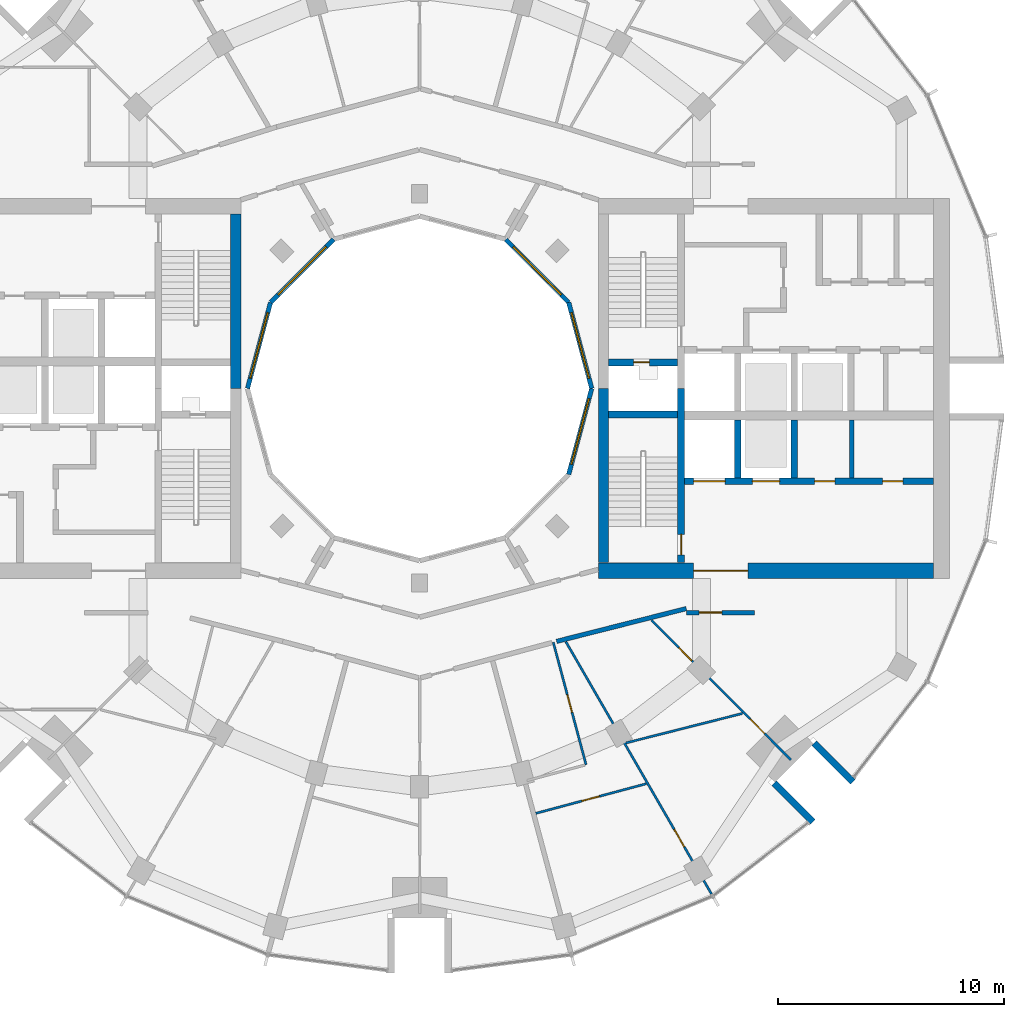
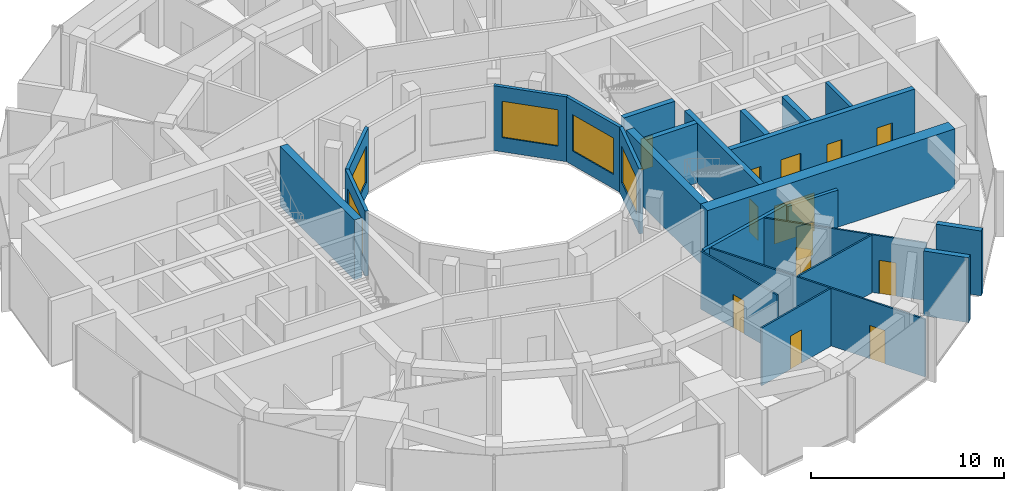
# One storey, part 10 of 15: 24 walls, 13 doors, 5 windows, 18 openings.
"""IFC4 building model written with IfcOpenShell, lengths in metres."""

from ifc_helpers import new_model, si_unit, direction, frame, frame_2d, origin, place, context, subcontext, project, spatial, rectangle, extrude, material, layer, layer_set, type_object, element, fill, save


model = new_model("IFC4")

# Units and contexts
model_context = context("Model", 3, precision=1e-05, world=origin(), true_north=direction((0.0, 1.0)))
body_context = subcontext(model_context, "Body", "Model", "MODEL_VIEW")
ifc_project = project(units=[si_unit("LENGTHUNIT", "METRE"), si_unit("AREAUNIT", "SQUARE_METRE"), si_unit("VOLUMEUNIT", "CUBIC_METRE"), si_unit("PLANEANGLEUNIT", "RADIAN"), si_unit("MASSUNIT", "GRAM", prefix="KILO")], contexts=[model_context])

# Site, building, storey
site_placement = place(None, origin())
site = spatial("IfcSite", under=ifc_project, at=site_placement, CompositionType="ELEMENT")
building_placement = place(site_placement, origin())
building = spatial("IfcBuilding", under=site, at=building_placement, Name="Torre Brocal", CompositionType="ELEMENT")
storey_placement = place(building_placement, frame((0.0, 0.0, 178.199951171875)))
storey = spatial("IfcBuildingStorey", under=building, at=storey_placement, Name="L41", CompositionType="ELEMENT", Elevation=178.199951171875)

# Wall
ifc_material_1 = material(Name="Masonry block", Category="masonry")
ifc_layer_1 = layer(ifc_material_1, 0.199951171875)
ifc_layer_set_1 = layer_set([ifc_layer_1], Name="Masonry block")
wall_type_1 = type_object("IfcWallType", Name="CORE PARTITION 200", PredefinedType="PARTITIONING", material=ifc_layer_set_1)
wall_1_placement = place(storey_placement, frame((99.10009765625, 71.050048828125, 0.0), z_axis=(0.0, 0.0, 1.0), x_axis=(0.0, 1.0, 0.0)))
element("IfcWall", 1, at=wall_1_placement, inside=storey, type_object=wall_type_1, Name="Wall CP200", PredefinedType="PARTITIONING", context=body_context, shape_type="SweptSolid", body=[
    extrude(rectangle(XDim=2.550048828125, YDim=0.199951171875, at=frame_2d((1.27490234375, 0.0))), origin(), (0.0, 0.0, 1.0), 3.780029296875),
])

# Wall, opening, door
ifc_material_2 = material(Name="Concrete C70", Category="concrete")
ifc_layer_2 = layer(ifc_material_2, 0.300048828125)
ifc_layer_set_2 = layer_set([ifc_layer_2], Name="Concrete C70")
wall_type_2 = type_object("IfcWallType", Name="CORE WALL 300 C70", PredefinedType="SHEAR", material=ifc_layer_set_2)
wall_2_placement = place(storey_placement, frame((91.550048828125, 67.300048828125, 0.0), z_axis=(0.0, 0.0, 1.0), x_axis=(0.0, 1.0, 0.0)))
wall_2 = element("IfcWall", 2, at=wall_2_placement, inside=storey, type_object=wall_type_2, Name="Wall CW300-70", PredefinedType="SHEAR", context=body_context, shape_type="SweptSolid", body=[
    extrude(rectangle(XDim=7.699951171875, YDim=0.300048828125, at=frame_2d((3.85009765625, 0.0))), origin(), (0.0, 0.0, 1.0), 3.780029296875),
])
opening_1_placement = place(wall_2_placement, frame((0.35009765625, 0.0, 0.0)))
opening_1 = element("IfcOpeningElement", 3, at=opening_1_placement, cuts=wall_2, Name="Opening E-D03", PredefinedType="OPENING", context=body_context, shape_type="SweptSolid", body=[
    extrude(rectangle(XDim=0.89990234375, YDim=2.10009765625, at=frame_2d((0.449951171875, 1.050048828125))), frame((0.0, 0.159912109375, 0.0), z_axis=(0.0, -1.0, 0.0), x_axis=(1.0, 0.0, 0.0)), (0.0, 0.0, 1.0), 0.320068359375),
])
ifc_material_3 = material(Name="Steel A653", Category="steel")
door_type_1 = type_object("IfcDoorType", Name="STAIR DOOR FD120 900X2100", OperationType="SINGLE_SWING_RIGHT", PredefinedType="DOOR", material=ifc_material_3)
door_1_placement = place(opening_1_placement, origin())
door_1 = element("IfcDoor", 4, at=door_1_placement, inside=storey, type_object=door_type_1, Name="Door E-D03", OperationType="SINGLE_SWING_LEFT", OverallHeight=2.10009765625, OverallWidth=0.89990234375, PredefinedType="DOOR", context=body_context, shape_type="SweptSolid", body=[
    extrude(rectangle(XDim=0.89990234375, YDim=2.10009765625, at=frame_2d((0.449951171875, 1.050048828125))), frame((0.0, 0.02490234375, 0.0), z_axis=(0.0, -1.0, 0.0), x_axis=(1.0, 0.0, 0.0)), (0.0, 0.0, 1.0), 0.050048828125),
])
fill(opening_1, door_1)

wall_3_placement = place(storey_placement, frame((88.35009765625, 76.14990234375, 0.0), z_axis=(0.0, 0.0, 1.0), x_axis=(1.0, 0.0, 0.0)))
wall_3 = element("IfcWall", 5, at=wall_3_placement, inside=storey, type_object=wall_type_2, Name="Wall CW300-70", PredefinedType="SHEAR", context=body_context, shape_type="SweptSolid", body=[
    extrude(rectangle(XDim=3.0498046875, YDim=0.300048828125, at=frame_2d((1.52490234375, 0.0))), origin(), (0.0, 0.0, 1.0), 3.780029296875),
])
opening_2_placement = place(wall_3_placement, frame((1.10009765625, 0.0, 0.0)))
opening_2 = element("IfcOpeningElement", 6, at=opening_2_placement, cuts=wall_3, Name="Opening E-D01", PredefinedType="OPENING", context=body_context, shape_type="SweptSolid", body=[
    extrude(rectangle(XDim=0.699951171875, YDim=2.0, at=frame_2d((0.35009765625, 1.0))), frame((0.0, 0.159912109375, 0.0), z_axis=(0.0, -1.0, 0.0), x_axis=(1.0, 0.0, 0.0)), (0.0, 0.0, 1.0), 0.320068359375),
])
ifc_material_4 = material(Name="Steel A653", Category="steel")
door_type_2 = type_object("IfcDoorType", Name="RISER DOOR FD120 700X2000", OperationType="SINGLE_SWING_LEFT", PredefinedType="DOOR", material=ifc_material_4)
door_2_placement = place(opening_2_placement, frame((0.699951171875, 0.0, 0.0), z_axis=(0.0, 0.0, 1.0), x_axis=(-1.0, 0.0, 0.0)))
door_2 = element("IfcDoor", 7, at=door_2_placement, inside=storey, type_object=door_type_2, Name="Door E-D01", OperationType="SINGLE_SWING_RIGHT", OverallHeight=2.0, OverallWidth=0.699951171875, PredefinedType="DOOR", context=body_context, shape_type="SweptSolid", body=[
    extrude(rectangle(XDim=0.699951171875, YDim=2.0, at=frame_2d((0.35009765625, 1.0))), frame((0.0, 0.02490234375, 0.0), z_axis=(0.0, -1.0, 0.0), x_axis=(1.0, 0.0, 0.0)), (0.0, 0.0, 1.0), 0.050048828125),
])
fill(opening_2, door_2)

# Wall
wall_4_placement = place(storey_placement, frame((88.35009765625, 73.85009765625, 0.0), z_axis=(0.0, 0.0, 1.0), x_axis=(1.0, 0.0, 0.0)))
element("IfcWall", 8, at=wall_4_placement, inside=storey, type_object=wall_type_2, Name="Wall CW300-70", PredefinedType="SHEAR", context=body_context, shape_type="SweptSolid", body=[
    extrude(rectangle(XDim=3.0498046875, YDim=0.300048828125, at=frame_2d((1.52490234375, 0.0))), origin(), (0.0, 0.0, 1.0), 3.780029296875),
])

# Wall, openings, doors
wall_5_placement = place(storey_placement, frame((91.699951171875, 70.89990234375, 0.0), z_axis=(0.0, 0.0, 1.0), x_axis=(1.0, 0.0, 0.0)))
wall_5 = element("IfcWall", 9, at=wall_5_placement, inside=storey, type_object=wall_type_2, Name="Wall CW300-70", PredefinedType="SHEAR", context=body_context, shape_type="SweptSolid", body=[
    extrude(rectangle(XDim=11.0, YDim=0.300048828125, at=frame_2d((5.5, 0.0))), origin(), (0.0, 0.0, 1.0), 3.780029296875),
])
opening_3_placement = place(wall_5_placement, frame((0.39990234375, 0.0, 0.0)))
opening_3 = element("IfcOpeningElement", 10, at=opening_3_placement, cuts=wall_5, Name="Opening LD14", PredefinedType="OPENING", context=body_context, shape_type="SweptSolid", body=[
    extrude(rectangle(XDim=1.39990234375, YDim=2.10009765625, at=frame_2d((0.699951171875, 1.050048828125))), frame((0.0, 0.159912109375, 0.0), z_axis=(0.0, -1.0, 0.0), x_axis=(1.0, 0.0, 0.0)), (0.0, 0.0, 1.0), 0.320068359375),
])
opening_4_placement = place(wall_5_placement, frame((3.0, 0.0, 0.0)))
opening_4 = element("IfcOpeningElement", 11, at=opening_4_placement, cuts=wall_5, Name="Opening LD12", PredefinedType="OPENING", context=body_context, shape_type="SweptSolid", body=[
    extrude(rectangle(XDim=1.199951171875, YDim=2.10009765625, at=frame_2d((0.60009765625, 1.050048828125))), frame((0.0, 0.159912109375, 0.0), z_axis=(0.0, -1.0, 0.0), x_axis=(1.0, 0.0, 0.0)), (0.0, 0.0, 1.0), 0.320068359375),
])
opening_5_placement = place(wall_5_placement, frame((5.75, 0.0, 0.0)))
opening_5 = element("IfcOpeningElement", 12, at=opening_5_placement, cuts=wall_5, Name="Opening E-D06", PredefinedType="OPENING", context=body_context, shape_type="SweptSolid", body=[
    extrude(rectangle(XDim=0.89990234375, YDim=2.10009765625, at=frame_2d((0.449951171875, 1.050048828125))), frame((0.0, 0.159912109375, 0.0), z_axis=(0.0, -1.0, 0.0), x_axis=(1.0, 0.0, 0.0)), (0.0, 0.0, 1.0), 0.320068359375),
])
opening_6_placement = place(wall_5_placement, frame((8.75, 0.0, 0.0)))
opening_6 = element("IfcOpeningElement", 13, at=opening_6_placement, cuts=wall_5, Name="Opening E-D07", PredefinedType="OPENING", context=body_context, shape_type="SweptSolid", body=[
    extrude(rectangle(XDim=0.89990234375, YDim=2.10009765625, at=frame_2d((0.449951171875, 1.050048828125))), frame((0.0, 0.159912109375, 0.0), z_axis=(0.0, -1.0, 0.0), x_axis=(1.0, 0.0, 0.0)), (0.0, 0.0, 1.0), 0.320068359375),
])
ifc_material_5 = material(Name="Stainless steel AISI 316", Category="steel")
door_type_3 = type_object("IfcDoorType", Name="LIFT LANDING DOOR 1200X2100", OperationType="DOUBLE_DOOR_SLIDING", PredefinedType="DOOR", material=ifc_material_5)
door_3_placement = place(opening_4_placement, origin())
door_3 = element("IfcDoor", 14, at=door_3_placement, inside=storey, type_object=door_type_3, Name="Door LD12", OperationType="DOUBLE_DOOR_SLIDING", OverallHeight=2.10009765625, OverallWidth=1.199951171875, PredefinedType="DOOR", context=body_context, shape_type="SweptSolid", body=[
    extrude(rectangle(XDim=1.199951171875, YDim=2.10009765625, at=frame_2d((0.60009765625, 1.050048828125))), frame((0.0, 0.02490234375, 0.0), z_axis=(0.0, -1.0, 0.0), x_axis=(1.0, 0.0, 0.0)), (0.0, 0.0, 1.0), 0.050048828125),
])
fill(opening_4, door_3)
ifc_material_6 = material(Name="Stainless steel AISI 316", Category="steel")
door_type_4 = type_object("IfcDoorType", Name="LIFT LANDING DOOR 1400X2100", OperationType="DOUBLE_DOOR_SLIDING", PredefinedType="DOOR", material=ifc_material_6)
door_4_placement = place(opening_3_placement, origin())
door_4 = element("IfcDoor", 15, at=door_4_placement, inside=storey, type_object=door_type_4, Name="Door LD14", OperationType="DOUBLE_DOOR_SLIDING", OverallHeight=2.10009765625, OverallWidth=1.39990234375, PredefinedType="DOOR", context=body_context, shape_type="SweptSolid", body=[
    extrude(rectangle(XDim=1.39990234375, YDim=2.10009765625, at=frame_2d((0.699951171875, 1.050048828125))), frame((0.0, 0.02490234375, 0.0), z_axis=(0.0, -1.0, 0.0), x_axis=(1.0, 0.0, 0.0)), (0.0, 0.0, 1.0), 0.050048828125),
])
fill(opening_3, door_4)
ifc_material_7 = material(Name="Steel A653", Category="steel")
door_type_5 = type_object("IfcDoorType", Name="ROOM DOOR FD30S 900X2100", OperationType="SINGLE_SWING_LEFT", PredefinedType="DOOR", material=ifc_material_7)
door_5_placement = place(opening_5_placement, origin())
door_5 = element("IfcDoor", 16, at=door_5_placement, inside=storey, type_object=door_type_5, Name="Door E-D06", OperationType="SINGLE_SWING_RIGHT", OverallHeight=2.10009765625, OverallWidth=0.89990234375, PredefinedType="DOOR", context=body_context, shape_type="SweptSolid", body=[
    extrude(rectangle(XDim=0.89990234375, YDim=2.10009765625, at=frame_2d((0.449951171875, 1.050048828125))), frame((0.0, 0.02490234375, 0.0), z_axis=(0.0, -1.0, 0.0), x_axis=(1.0, 0.0, 0.0)), (0.0, 0.0, 1.0), 0.050048828125),
])
fill(opening_5, door_5)
door_6_placement = place(opening_6_placement, origin())
door_6 = element("IfcDoor", 17, at=door_6_placement, inside=storey, type_object=door_type_5, Name="Door E-D07", OperationType="SINGLE_SWING_LEFT", OverallHeight=2.10009765625, OverallWidth=0.89990234375, PredefinedType="DOOR", context=body_context, shape_type="SweptSolid", body=[
    extrude(rectangle(XDim=0.89990234375, YDim=2.10009765625, at=frame_2d((0.449951171875, 1.050048828125))), frame((0.0, 0.02490234375, 0.0), z_axis=(0.0, -1.0, 0.0), x_axis=(1.0, 0.0, 0.0)), (0.0, 0.0, 1.0), 0.050048828125),
])
fill(opening_6, door_6)

# Walls
for number, where, z_axis, x_axis, name in (
    (18, (94.050048828125, 71.050048828125, 0.0), (0.0, 0.0, 1.0), (0.0, 1.0, 0.0), "Wall CW300-70"),
    (19, (96.550048828125, 71.050048828125, 0.0), (0.0, 0.0, 1.0), (0.0, 1.0, 0.0), "Wall CW300-70"),
):
    element("IfcWall", number, at=place(storey_placement, frame(where, z_axis=z_axis, x_axis=x_axis)), inside=storey, type_object=wall_type_2, Name=name, PredefinedType="SHEAR", context=body_context, shape_type="SweptSolid", body=[
        extrude(rectangle(XDim=2.550048828125, YDim=0.300048828125, at=frame_2d((1.27490234375, 0.0))), origin(), (0.0, 0.0, 1.0), 3.780029296875),
    ])
ifc_material_8 = material(Name="Concrete C70", Category="concrete")
ifc_layer_3 = layer(ifc_material_8, 0.449951171875)
ifc_layer_set_3 = layer_set([ifc_layer_3], Name="Concrete C70")
wall_type_3 = type_object("IfcWallType", Name="CORE WALL 450 C70", PredefinedType="SHEAR", material=ifc_layer_set_3)
for number, where, z_axis, x_axis, name in (
    (20, (88.125, 67.300048828125, 0.0), (0.0, 0.0, 1.0), (0.0, 1.0, 0.0), "Wall CW450-70"),
    (21, (71.875, 82.699951171875, 0.0), (0.0, 0.0, 1.0), (0.0, -1.0, 0.0), "Wall CW450-70"),
):
    element("IfcWall", number, at=place(storey_placement, frame(where, z_axis=z_axis, x_axis=x_axis)), inside=storey, type_object=wall_type_3, Name=name, PredefinedType="SHEAR", context=body_context, shape_type="SweptSolid", body=[
        extrude(rectangle(XDim=7.699951171875, YDim=0.449951171875, at=frame_2d((3.85009765625, 0.0))), origin(), (0.0, 0.0, 1.0), 3.780029296875),
    ])

# Wall, opening, door
ifc_material_9 = material(Name="Concrete C70", Category="concrete")
ifc_layer_4 = layer(ifc_material_9, 0.699951171875)
ifc_layer_set_4 = layer_set([ifc_layer_4], Name="Concrete C70")
wall_type_4 = type_object("IfcWallType", Name="CORE WALL 700 C70", PredefinedType="SHEAR", material=ifc_layer_set_4)
wall_6_placement = place(storey_placement, frame((87.89990234375, 66.949951171875, 0.0), z_axis=(0.0, 0.0, 1.0), x_axis=(1.0, 0.0, 0.0)))
wall_6 = element("IfcWall", 22, at=wall_6_placement, inside=storey, type_object=wall_type_4, Name="Wall CW700-70", PredefinedType="SHEAR", context=body_context, shape_type="SweptSolid", body=[
    extrude(rectangle(XDim=14.800048828125, YDim=0.699951171875, at=frame_2d((7.39990234375, 0.0))), origin(), (0.0, 0.0, 1.0), 3.780029296875),
])
opening_7_placement = place(wall_6_placement, frame((4.199951171875, 0.0, 0.0)))
opening_7 = element("IfcOpeningElement", 23, at=opening_7_placement, cuts=wall_6, Name="Opening E-D13", PredefinedType="OPENING", context=body_context, shape_type="SweptSolid", body=[
    extrude(rectangle(XDim=2.39990234375, YDim=2.39990234375, at=frame_2d((1.199951171875, 1.199951171875))), frame((0.0, 0.35986328125, 0.0), z_axis=(0.0, -1.0, 0.0), x_axis=(1.0, 0.0, 0.0)), (0.0, 0.0, 1.0), 0.719970703125),
])
ifc_material_10 = material(Name="Steel A653", Category="steel")
door_type_6 = type_object("IfcDoorType", Name="DOUBLE FIRE DOOR FD90 2400X2400", OperationType="DOUBLE_DOOR_SINGLE_SWING", PredefinedType="DOOR", material=ifc_material_10)
door_7_placement = place(opening_7_placement, origin())
door_7 = element("IfcDoor", 24, at=door_7_placement, inside=storey, type_object=door_type_6, Name="Door E-D13", OperationType="DOUBLE_DOOR_SINGLE_SWING", OverallHeight=2.39990234375, OverallWidth=2.39990234375, PredefinedType="DOOR", context=body_context, shape_type="SweptSolid", body=[
    extrude(rectangle(XDim=2.39990234375, YDim=2.39990234375, at=frame_2d((1.199951171875, 1.199951171875))), frame((0.0, 0.02490234375, 0.0), z_axis=(0.0, -1.0, 0.0), x_axis=(1.0, 0.0, 0.0)), (0.0, 0.0, 1.0), 0.050048828125),
])
fill(opening_7, door_7)

# Walls
ifc_material_11 = material(Name="Concrete C70", Category="concrete")
ifc_layer_5 = layer(ifc_material_11, 0.300048828125)
ifc_layer_set_5 = layer_set([ifc_layer_5], Name="Concrete C70")
wall_type_5 = type_object("IfcWallType", Name="NOTCH RETURN WALL 300 C70", PredefinedType="NOTDEFINED", material=ifc_layer_set_5)
for number, where, z_axis, x_axis, name in (
    (25, (95.662353515625, 57.56982421875, 0.0), (0.0, 0.0, 1.0), (0.707106781187, -0.707106781187, 0.0), "NOTCH RETURN WALL"),
    (26, (97.43017578125, 59.337646484375, 0.0), (0.0, 0.0, 1.0), (0.707106781187, -0.707106781187, 0.0), "NOTCH RETURN WALL"),
):
    element("IfcWall", number, at=place(storey_placement, frame(where, z_axis=z_axis, x_axis=x_axis)), inside=storey, type_object=wall_type_5, Name=name, PredefinedType="NOTDEFINED", context=body_context, shape_type="SweptSolid", body=[
        extrude(rectangle(XDim=2.415771484375, YDim=0.300048828125, at=frame_2d((1.2080078125, 0.0))), origin(), (0.0, 0.0, 1.0), 4.10009765625),
    ])

# Wall, opening, door
ifc_material_12 = material(Name="Gypsum board", Category="Gypsum")
ifc_layer_6 = layer(ifc_material_12, 0.10009765625)
ifc_layer_set_6 = layer_set([ifc_layer_6], Name="Gypsum board")
wall_type_6 = type_object("IfcWallType", Name="PARTITION 100", PredefinedType="PARTITIONING", material=ifc_layer_set_6)
wall_7_placement = place(storey_placement, frame((85.133544921875, 56.22900390625, 0.0), z_axis=(0.0, 0.0, 1.0), x_axis=(0.965894130068, 0.258937308051, 0.0)))
wall_7 = element("IfcWall", 27, at=wall_7_placement, inside=storey, type_object=wall_type_6, Name="BATHROOM WALL", PredefinedType="PARTITIONING", context=body_context, shape_type="SweptSolid", body=[
    extrude(rectangle(XDim=5.0537109375, YDim=0.10009765625, at=frame_2d((2.52685546875, 0.0))), origin(), (0.0, 0.0, 1.0), 3.650146484375),
])
opening_8_placement = place(wall_7_placement, frame((2.10693359375, 0.0, 0.0)))
opening_8 = element("IfcOpeningElement", 28, at=opening_8_placement, cuts=wall_7, Name="Opening R02-D24", PredefinedType="OPENING", context=body_context, shape_type="SweptSolid", body=[
    extrude(rectangle(XDim=0.800048828125, YDim=2.10009765625, at=frame_2d((0.39990234375, 1.050048828125))), frame((0.0, 0.06005859375, 0.0), z_axis=(0.0, -1.0, 0.0), x_axis=(1.0, 0.0, 0.0)), (0.0, 0.0, 1.0), 0.1201171875),
])
ifc_material_13 = material(Name="Timber", Category="wood")
door_type_7 = type_object("IfcDoorType", Name="BATHROOM DOOR 800X2100", OperationType="SINGLE_SWING_LEFT", PredefinedType="DOOR", material=ifc_material_13)
door_8_placement = place(opening_8_placement, frame((0.800048828125, 0.0, 0.0), z_axis=(0.0, 0.0, 1.0), x_axis=(-1.0, 0.0, 0.0)))
door_8 = element("IfcDoor", 29, at=door_8_placement, inside=storey, type_object=door_type_7, Name="R02-D24", OperationType="SINGLE_SWING_RIGHT", OverallHeight=2.10009765625, OverallWidth=0.800048828125, PredefinedType="DOOR", context=body_context, shape_type="SweptSolid", body=[
    extrude(rectangle(XDim=0.800048828125, YDim=2.10009765625, at=frame_2d((0.39990234375, 1.050048828125))), frame((0.0, 0.02490234375, 0.0), z_axis=(0.0, -1.0, 0.0), x_axis=(1.0, 0.0, 0.0)), (0.0, 0.0, 1.0), 0.050048828125),
])
fill(opening_8, door_8)

wall_8_placement = place(storey_placement, frame((85.904052734375, 63.785888671875, 0.0), z_axis=(0.0, 0.0, 1.0), x_axis=(0.258761510459, -0.965941240814, 0.0)))
wall_8 = element("IfcWall", 30, at=wall_8_placement, inside=storey, type_object=wall_type_6, Name="BATHROOM WALL", PredefinedType="PARTITIONING", context=body_context, shape_type="SweptSolid", body=[
    extrude(rectangle(XDim=5.599609375, YDim=0.10009765625, at=frame_2d((2.7998046875, 0.0))), origin(), (0.0, 0.0, 1.0), 3.650146484375),
])
opening_9_placement = place(wall_8_placement, frame((2.39990234375, 0.0, 0.0)))
opening_9 = element("IfcOpeningElement", 31, at=opening_9_placement, cuts=wall_8, Name="Opening R02-D23", PredefinedType="OPENING", context=body_context, shape_type="SweptSolid", body=[
    extrude(rectangle(XDim=0.800048828125, YDim=2.10009765625, at=frame_2d((0.39990234375, 1.050048828125))), frame((0.0, 0.06005859375, 0.0), z_axis=(0.0, -1.0, 0.0), x_axis=(1.0, 0.0, 0.0)), (0.0, 0.0, 1.0), 0.1201171875),
])
door_9_placement = place(opening_9_placement, frame((0.800048828125, 0.0, 0.0), z_axis=(0.0, 0.0, 1.0), x_axis=(-1.0, 0.0, 0.0)))
door_9 = element("IfcDoor", 32, at=door_9_placement, inside=storey, type_object=door_type_7, Name="R02-D23", OperationType="SINGLE_SWING_RIGHT", OverallHeight=2.10009765625, OverallWidth=0.800048828125, PredefinedType="DOOR", context=body_context, shape_type="SweptSolid", body=[
    extrude(rectangle(XDim=0.800048828125, YDim=2.10009765625, at=frame_2d((0.39990234375, 1.050048828125))), frame((0.0, 0.02490234375, 0.0), z_axis=(0.0, -1.0, 0.0), x_axis=(1.0, 0.0, 0.0)), (0.0, 0.0, 1.0), 0.050048828125),
])
fill(opening_9, door_9)

wall_9_placement = place(storey_placement, frame((86.461181640625, 63.81005859375, 0.0), z_axis=(0.0, 0.0, 1.0), x_axis=(0.49994840431, -0.866055190521, 0.0)))
wall_9 = element("IfcWall", 33, at=wall_9_placement, inside=storey, type_object=wall_type_6, Name="BATHROOM WALL", PredefinedType="PARTITIONING", context=body_context, shape_type="SweptSolid", body=[
    extrude(rectangle(XDim=12.876220703125, YDim=0.10009765625, at=frame_2d((6.43798828125, 0.0))), origin(), (0.0, 0.0, 1.0), 3.650146484375),
])
opening_10_placement = place(wall_9_placement, frame((9.565185546875, 0.0, 0.0)))
opening_10 = element("IfcOpeningElement", 34, at=opening_10_placement, cuts=wall_9, Name="Opening R02-D22", PredefinedType="OPENING", context=body_context, shape_type="SweptSolid", body=[
    extrude(rectangle(XDim=0.89990234375, YDim=2.10009765625, at=frame_2d((0.449951171875, 1.050048828125))), frame((0.0, 0.06005859375, 0.0), z_axis=(0.0, -1.0, 0.0), x_axis=(1.0, 0.0, 0.0)), (0.0, 0.0, 1.0), 0.1201171875),
])
ifc_material_14 = material(Name="Timber", Category="wood")
door_type_8 = type_object("IfcDoorType", Name="ROOM DOOR 900X2100", OperationType="SINGLE_SWING_LEFT", PredefinedType="DOOR", material=ifc_material_14)
door_10_placement = place(opening_10_placement, origin())
door_10 = element("IfcDoor", 35, at=door_10_placement, inside=storey, type_object=door_type_8, Name="R02-D22", OperationType="SINGLE_SWING_RIGHT", OverallHeight=2.10009765625, OverallWidth=0.89990234375, PredefinedType="DOOR", context=body_context, shape_type="SweptSolid", body=[
    extrude(rectangle(XDim=0.89990234375, YDim=2.10009765625, at=frame_2d((0.449951171875, 1.050048828125))), frame((0.0, 0.02490234375, 0.0), z_axis=(0.0, -1.0, 0.0), x_axis=(1.0, 0.0, 0.0)), (0.0, 0.0, 1.0), 0.050048828125),
])
fill(opening_10, door_10)

# Wall
wall_10_placement = place(storey_placement, frame((89.109130859375, 59.338623046875, 0.0), z_axis=(0.0, 0.0, 1.0), x_axis=(0.969449434389, 0.245291243552, 0.0)))
element("IfcWall", 36, at=wall_10_placement, inside=storey, type_object=wall_type_6, Name="BATHROOM WALL", PredefinedType="PARTITIONING", context=body_context, shape_type="SweptSolid", body=[
    extrude(rectangle(XDim=5.31396484375, YDim=0.10009765625, at=frame_2d((2.656982421875, 0.0))), origin(), (0.0, 0.0, 1.0), 3.650146484375),
])

# Wall, openings, doors
wall_11_placement = place(storey_placement, frame((90.238037109375, 64.760009765625, 0.0), z_axis=(0.0, 0.0, 1.0), x_axis=(0.707022780144, -0.707190772251, 0.0)))
wall_11 = element("IfcWall", 37, at=wall_11_placement, inside=storey, type_object=wall_type_6, Name="BATHROOM WALL", PredefinedType="PARTITIONING", context=body_context, shape_type="SweptSolid", body=[
    extrude(rectangle(XDim=8.7197265625, YDim=0.10009765625, at=frame_2d((4.35986328125, 0.0))), origin(), (0.0, 0.0, 1.0), 3.650146484375),
])
opening_11_placement = place(wall_11_placement, frame((6.172119140625, 0.0, 0.0)))
opening_11 = element("IfcOpeningElement", 38, at=opening_11_placement, cuts=wall_11, Name="Opening R02-D20", PredefinedType="OPENING", context=body_context, shape_type="SweptSolid", body=[
    extrude(rectangle(XDim=0.89990234375, YDim=2.10009765625, at=frame_2d((0.449951171875, 1.050048828125))), frame((0.0, 0.06005859375, 0.0), z_axis=(0.0, -1.0, 0.0), x_axis=(1.0, 0.0, 0.0)), (0.0, 0.0, 1.0), 0.1201171875),
])
opening_12_placement = place(wall_11_placement, frame((1.722412109375, 0.0, 0.0)))
opening_12 = element("IfcOpeningElement", 39, at=opening_12_placement, cuts=wall_11, Name="Opening R02-D21", PredefinedType="OPENING", context=body_context, shape_type="SweptSolid", body=[
    extrude(rectangle(XDim=0.800048828125, YDim=2.10009765625, at=frame_2d((0.39990234375, 1.050048828125))), frame((0.0, 0.06005859375, 0.0), z_axis=(0.0, -1.0, 0.0), x_axis=(1.0, 0.0, 0.0)), (0.0, 0.0, 1.0), 0.1201171875),
])
door_11_placement = place(opening_12_placement, frame((0.800048828125, 0.0, 0.0), z_axis=(0.0, 0.0, 1.0), x_axis=(-1.0, 0.0, 0.0)))
door_11 = element("IfcDoor", 40, at=door_11_placement, inside=storey, type_object=door_type_7, Name="R02-D21", OperationType="SINGLE_SWING_RIGHT", OverallHeight=2.10009765625, OverallWidth=0.800048828125, PredefinedType="DOOR", context=body_context, shape_type="SweptSolid", body=[
    extrude(rectangle(XDim=0.800048828125, YDim=2.10009765625, at=frame_2d((0.39990234375, 1.050048828125))), frame((0.0, 0.02490234375, 0.0), z_axis=(0.0, -1.0, 0.0), x_axis=(1.0, 0.0, 0.0)), (0.0, 0.0, 1.0), 0.050048828125),
])
fill(opening_12, door_11)
door_12_placement = place(opening_11_placement, origin())
door_12 = element("IfcDoor", 41, at=door_12_placement, inside=storey, type_object=door_type_8, Name="R02-D20", OperationType="SINGLE_SWING_RIGHT", OverallHeight=2.10009765625, OverallWidth=0.89990234375, PredefinedType="DOOR", context=body_context, shape_type="SweptSolid", body=[
    extrude(rectangle(XDim=0.89990234375, YDim=2.10009765625, at=frame_2d((0.449951171875, 1.050048828125))), frame((0.0, 0.02490234375, 0.0), z_axis=(0.0, -1.0, 0.0), x_axis=(1.0, 0.0, 0.0)), (0.0, 0.0, 1.0), 0.050048828125),
])
fill(opening_11, door_12)

# Wall
ifc_material_15 = material(Name="Gypsum board", Category="Gypsum")
ifc_layer_7 = layer(ifc_material_15, 0.199951171875)
ifc_layer_set_7 = layer_set([ifc_layer_7], Name="Gypsum board")
wall_type_7 = type_object("IfcWallType", Name="PARTITION 200 EI60", PredefinedType="PARTITIONING", material=ifc_layer_set_7)
wall_12_placement = place(storey_placement, frame((86.052978515625, 63.826171875, 0.0), z_axis=(0.0, 0.0, 1.0), x_axis=(0.969490004987, 0.245130843083, 0.0)))
element("IfcWall", 42, at=wall_12_placement, inside=storey, type_object=wall_type_7, Name="FLAT ENTRANCE WALL", PredefinedType="PARTITIONING", context=body_context, shape_type="SweptSolid", body=[
    extrude(rectangle(XDim=5.907958984375, YDim=0.199951171875, at=frame_2d((2.9541015625, 0.0))), origin(), (0.0, 0.0, 1.0), 3.650146484375),
])

# Wall, opening, door
wall_13_placement = place(storey_placement, frame((91.800048828125, 65.10009765625, 0.0), z_axis=(0.0, 0.0, 1.0), x_axis=(1.0, 0.0, 0.0)))
wall_13 = element("IfcWall", 43, at=wall_13_placement, inside=storey, type_object=wall_type_7, Name="FLAT ENTRANCE WALL", PredefinedType="PARTITIONING", context=body_context, shape_type="SweptSolid", body=[
    extrude(rectangle(XDim=3.0, YDim=0.199951171875, at=frame_2d((1.5, 0.0))), origin(), (0.0, 0.0, 1.0), 3.650146484375),
])
opening_13_placement = place(wall_13_placement, frame((0.550048828125, 0.0, 0.0)))
opening_13 = element("IfcOpeningElement", 44, at=opening_13_placement, cuts=wall_13, Name="Opening R02-D19", PredefinedType="OPENING", context=body_context, shape_type="SweptSolid", body=[
    extrude(rectangle(XDim=1.0, YDim=2.10009765625, at=frame_2d((0.5, 1.050048828125))), frame((0.0, 0.10986328125, 0.0), z_axis=(0.0, -1.0, 0.0), x_axis=(1.0, 0.0, 0.0)), (0.0, 0.0, 1.0), 0.219970703125),
])
ifc_material_16 = material(Name="Timber", Category="wood")
door_type_9 = type_object("IfcDoorType", Name="FLAT ENTRY DOOR FD30S 1000X2100", OperationType="SINGLE_SWING_RIGHT", PredefinedType="DOOR", material=ifc_material_16)
door_13_placement = place(opening_13_placement, frame((1.0, 0.0, 0.0), z_axis=(0.0, 0.0, 1.0), x_axis=(-1.0, 0.0, 0.0)))
door_13 = element("IfcDoor", 45, at=door_13_placement, inside=storey, type_object=door_type_9, Name="R02-D19", OperationType="SINGLE_SWING_RIGHT", OverallHeight=2.10009765625, OverallWidth=1.0, PredefinedType="DOOR", context=body_context, shape_type="SweptSolid", body=[
    extrude(rectangle(XDim=1.0, YDim=2.10009765625, at=frame_2d((0.5, 1.050048828125))), frame((0.0, 0.02490234375, 0.0), z_axis=(0.0, -1.0, 0.0), x_axis=(1.0, 0.0, 0.0)), (0.0, 0.0, 1.0), 0.050048828125),
])
fill(opening_13, door_13)

# Wall, opening, window
ifc_material_17 = material(Name="Concrete C40", Category="concrete")
ifc_layer_8 = layer(ifc_material_17, 0.199951171875)
ifc_layer_set_8 = layer_set([ifc_layer_8], Name="Concrete C40")
wall_type_8 = type_object("IfcWallType", Name="WELL FACADE WALL 200", PredefinedType="NOTDEFINED", material=ifc_layer_set_8)
wall_14_placement = place(storey_placement, frame((87.603515625, 75.0, 0.0), z_axis=(0.0, 0.0, 1.0), x_axis=(-0.258789828301, 0.965933654434, 0.0)))
wall_14 = element("IfcWall", 46, at=wall_14_placement, inside=storey, type_object=wall_type_8, Name="WELL FACADE WALL", PredefinedType="NOTDEFINED", context=body_context, shape_type="SweptSolid", body=[
    extrude(rectangle(XDim=3.935791015625, YDim=0.199951171875, at=frame_2d((1.9677734375, 0.0))), origin(), (0.0, 0.0, 1.0), 4.10009765625),
])
opening_14_placement = place(wall_14_placement, frame((0.468017578125, 0.0, 0.89990234375)))
opening_14 = element("IfcOpeningElement", 47, at=opening_14_placement, cuts=wall_14, Name="Opening W1", PredefinedType="OPENING", context=body_context, shape_type="SweptSolid", body=[
    extrude(rectangle(XDim=3.0, YDim=2.300048828125, at=frame_2d((1.5, 1.14990234375))), frame((0.0, 0.10986328125, 0.0), z_axis=(0.0, -1.0, 0.0), x_axis=(1.0, 0.0, 0.0)), (0.0, 0.0, 1.0), 0.219970703125),
])
ifc_material_18 = material(Name="Aluminium and glass", Category="aluminium")
window_type = type_object("IfcWindowType", Name="WELL WINDOW 3000X2300", PartitioningType="SINGLE_PANEL", PredefinedType="WINDOW", material=ifc_material_18)
window_1_placement = place(opening_14_placement, origin())
window_1 = element("IfcWindow", 48, at=window_1_placement, inside=storey, type_object=window_type, Name="WELL WINDOW 3000X2300", OverallHeight=2.300048828125, OverallWidth=3.0, PartitioningType="SINGLE_PANEL", PredefinedType="WINDOW", context=body_context, shape_type="SweptSolid", body=[
    extrude(rectangle(XDim=3.0, YDim=2.300048828125, at=frame_2d((1.5, 1.14990234375))), frame((0.0, 0.030029296875, 0.0), z_axis=(0.0, -1.0, 0.0), x_axis=(1.0, 0.0, 0.0)), (0.0, 0.0, 1.0), 0.06005859375),
])
fill(opening_14, window_1)

wall_15_placement = place(storey_placement, frame((86.5849609375, 78.8017578125, 0.0), z_axis=(0.0, 0.0, 1.0), x_axis=(-0.707106781187, 0.707106781187, 0.0)))
wall_15 = element("IfcWall", 49, at=wall_15_placement, inside=storey, type_object=wall_type_8, Name="WELL FACADE WALL", PredefinedType="NOTDEFINED", context=body_context, shape_type="SweptSolid", body=[
    extrude(rectangle(XDim=3.93603515625, YDim=0.199951171875, at=frame_2d((1.968017578125, 0.0))), origin(), (0.0, 0.0, 1.0), 4.10009765625),
])
opening_15_placement = place(wall_15_placement, frame((0.468017578125, 0.0, 0.89990234375)))
opening_15 = element("IfcOpeningElement", 50, at=opening_15_placement, cuts=wall_15, Name="Opening W1", PredefinedType="OPENING", context=body_context, shape_type="SweptSolid", body=[
    extrude(rectangle(XDim=3.0, YDim=2.300048828125, at=frame_2d((1.5, 1.14990234375))), frame((0.0, 0.10986328125, 0.0), z_axis=(0.0, -1.0, 0.0), x_axis=(1.0, 0.0, 0.0)), (0.0, 0.0, 1.0), 0.219970703125),
])
window_2_placement = place(opening_15_placement, origin())
window_2 = element("IfcWindow", 51, at=window_2_placement, inside=storey, type_object=window_type, Name="WELL WINDOW 3000X2300", OverallHeight=2.300048828125, OverallWidth=3.0, PartitioningType="SINGLE_PANEL", PredefinedType="WINDOW", context=body_context, shape_type="SweptSolid", body=[
    extrude(rectangle(XDim=3.0, YDim=2.300048828125, at=frame_2d((1.5, 1.14990234375))), frame((0.0, 0.030029296875, 0.0), z_axis=(0.0, -1.0, 0.0), x_axis=(1.0, 0.0, 0.0)), (0.0, 0.0, 1.0), 0.06005859375),
])
fill(opening_15, window_2)

wall_16_placement = place(storey_placement, frame((76.1982421875, 81.5849609375, 0.0), z_axis=(0.0, 0.0, 1.0), x_axis=(-0.707106781187, -0.707106781187, 0.0)))
wall_16 = element("IfcWall", 52, at=wall_16_placement, inside=storey, type_object=wall_type_8, Name="WELL FACADE WALL", PredefinedType="NOTDEFINED", context=body_context, shape_type="SweptSolid", body=[
    extrude(rectangle(XDim=3.93603515625, YDim=0.199951171875, at=frame_2d((1.968017578125, 0.0))), origin(), (0.0, 0.0, 1.0), 4.10009765625),
])
opening_16_placement = place(wall_16_placement, frame((0.468017578125, 0.0, 0.89990234375)))
opening_16 = element("IfcOpeningElement", 53, at=opening_16_placement, cuts=wall_16, Name="Opening W1", PredefinedType="OPENING", context=body_context, shape_type="SweptSolid", body=[
    extrude(rectangle(XDim=3.0, YDim=2.300048828125, at=frame_2d((1.5, 1.14990234375))), frame((0.0, 0.10986328125, 0.0), z_axis=(0.0, -1.0, 0.0), x_axis=(1.0, 0.0, 0.0)), (0.0, 0.0, 1.0), 0.219970703125),
])
window_3_placement = place(opening_16_placement, origin())
window_3 = element("IfcWindow", 54, at=window_3_placement, inside=storey, type_object=window_type, Name="WELL WINDOW 3000X2300", OverallHeight=2.300048828125, OverallWidth=3.0, PartitioningType="SINGLE_PANEL", PredefinedType="WINDOW", context=body_context, shape_type="SweptSolid", body=[
    extrude(rectangle(XDim=3.0, YDim=2.300048828125, at=frame_2d((1.5, 1.14990234375))), frame((0.0, 0.030029296875, 0.0), z_axis=(0.0, -1.0, 0.0), x_axis=(1.0, 0.0, 0.0)), (0.0, 0.0, 1.0), 0.06005859375),
])
fill(opening_16, window_3)

wall_17_placement = place(storey_placement, frame((73.4150390625, 78.8017578125, 0.0), z_axis=(0.0, 0.0, 1.0), x_axis=(-0.258789828301, -0.965933654434, 0.0)))
wall_17 = element("IfcWall", 55, at=wall_17_placement, inside=storey, type_object=wall_type_8, Name="WELL FACADE WALL", PredefinedType="NOTDEFINED", context=body_context, shape_type="SweptSolid", body=[
    extrude(rectangle(XDim=3.935791015625, YDim=0.199951171875, at=frame_2d((1.9677734375, 0.0))), origin(), (0.0, 0.0, 1.0), 4.10009765625),
])
opening_17_placement = place(wall_17_placement, frame((0.468017578125, 0.0, 0.89990234375)))
opening_17 = element("IfcOpeningElement", 56, at=opening_17_placement, cuts=wall_17, Name="Opening W1", PredefinedType="OPENING", context=body_context, shape_type="SweptSolid", body=[
    extrude(rectangle(XDim=3.0, YDim=2.300048828125, at=frame_2d((1.5, 1.14990234375))), frame((0.0, 0.10986328125, 0.0), z_axis=(0.0, -1.0, 0.0), x_axis=(1.0, 0.0, 0.0)), (0.0, 0.0, 1.0), 0.219970703125),
])
window_4_placement = place(opening_17_placement, origin())
window_4 = element("IfcWindow", 57, at=window_4_placement, inside=storey, type_object=window_type, Name="WELL WINDOW 3000X2300", OverallHeight=2.300048828125, OverallWidth=3.0, PartitioningType="SINGLE_PANEL", PredefinedType="WINDOW", context=body_context, shape_type="SweptSolid", body=[
    extrude(rectangle(XDim=3.0, YDim=2.300048828125, at=frame_2d((1.5, 1.14990234375))), frame((0.0, 0.030029296875, 0.0), z_axis=(0.0, -1.0, 0.0), x_axis=(1.0, 0.0, 0.0)), (0.0, 0.0, 1.0), 0.06005859375),
])
fill(opening_17, window_4)

wall_18_placement = place(storey_placement, frame((86.5849609375, 71.1982421875, 0.0), z_axis=(0.0, 0.0, 1.0), x_axis=(0.258789828301, 0.965933654434, 0.0)))
wall_18 = element("IfcWall", 58, at=wall_18_placement, inside=storey, type_object=wall_type_8, Name="WELL FACADE WALL", PredefinedType="NOTDEFINED", context=body_context, shape_type="SweptSolid", body=[
    extrude(rectangle(XDim=3.935791015625, YDim=0.199951171875, at=frame_2d((1.9677734375, 0.0))), origin(), (0.0, 0.0, 1.0), 4.10009765625),
])
opening_18_placement = place(wall_18_placement, frame((0.468017578125, 0.0, 0.89990234375)))
opening_18 = element("IfcOpeningElement", 59, at=opening_18_placement, cuts=wall_18, Name="Opening W1", PredefinedType="OPENING", context=body_context, shape_type="SweptSolid", body=[
    extrude(rectangle(XDim=3.0, YDim=2.300048828125, at=frame_2d((1.5, 1.14990234375))), frame((0.0, 0.10986328125, 0.0), z_axis=(0.0, -1.0, 0.0), x_axis=(1.0, 0.0, 0.0)), (0.0, 0.0, 1.0), 0.219970703125),
])
window_5_placement = place(opening_18_placement, origin())
window_5 = element("IfcWindow", 60, at=window_5_placement, inside=storey, type_object=window_type, Name="WELL WINDOW 3000X2300", OverallHeight=2.300048828125, OverallWidth=3.0, PartitioningType="SINGLE_PANEL", PredefinedType="WINDOW", context=body_context, shape_type="SweptSolid", body=[
    extrude(rectangle(XDim=3.0, YDim=2.300048828125, at=frame_2d((1.5, 1.14990234375))), frame((0.0, 0.030029296875, 0.0), z_axis=(0.0, -1.0, 0.0), x_axis=(1.0, 0.0, 0.0)), (0.0, 0.0, 1.0), 0.06005859375),
])
fill(opening_18, window_5)

save(model, "model.ifc")
